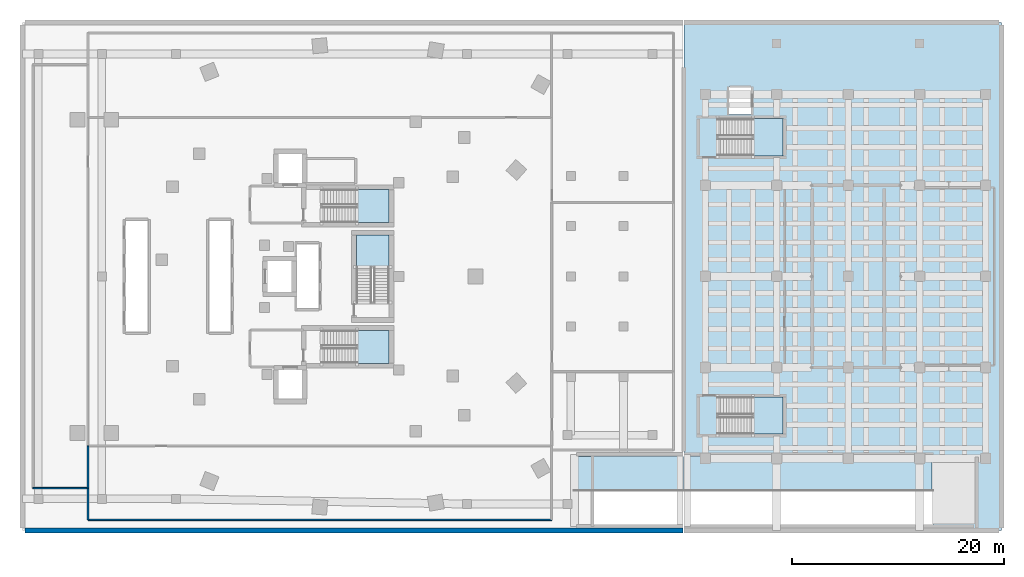
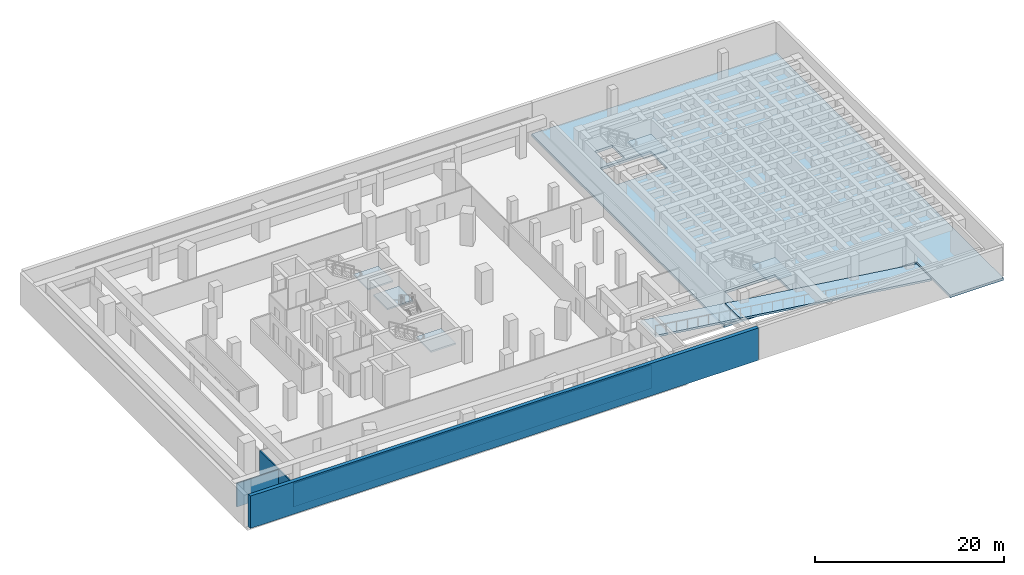
# One storey, part 6 of 13: 8 slabs, 5 walls, 5 elements without a shape of their own.
"""IFC4 building model written with IfcOpenShell, lengths in metres."""

from ifc_helpers import new_model, si_unit, direction, frame, frame_2d, origin, place, context, subcontext, project, spatial, polyline, rectangle, outline, extrude, material, layer, layer_set, type_object, element, aggregate, save


model = new_model("IFC4")

# Units and contexts
model_context = context("Model", 3, precision=1e-05, world=origin(), true_north=direction((0.0, 1.0)))
body_context = subcontext(model_context, "Body", "Model", "MODEL_VIEW")
ifc_project = project(units=[si_unit("LENGTHUNIT", "METRE"), si_unit("AREAUNIT", "SQUARE_METRE"), si_unit("VOLUMEUNIT", "CUBIC_METRE"), si_unit("PLANEANGLEUNIT", "RADIAN"), si_unit("MASSUNIT", "GRAM", prefix="KILO")], contexts=[model_context])

# Site, building, storey
site_placement = place(None, origin())
site = spatial("IfcSite", under=ifc_project, at=site_placement, CompositionType="ELEMENT")
building_placement = place(site_placement, origin())
building = spatial("IfcBuilding", under=site, at=building_placement, Name="Korentha Bioscience Tower", CompositionType="ELEMENT")
storey_placement = place(building_placement, frame((0.0, 0.0, -4.5)))
storey = spatial("IfcBuildingStorey", under=building, at=storey_placement, Name="B1", CompositionType="ELEMENT", Elevation=-4.5)

# Slab
ifc_material_1 = material(Name="Concrete C50", Category="concrete")
ifc_layer_1 = layer(ifc_material_1, 0.320068359375, Name="Concrete C50")
ifc_layer_set_1 = layer_set([ifc_layer_1], Name="Concrete C50 (SL-B1)")
slab_type_1 = type_object("IfcSlabType", Name="Basement Car Park Slab 320", PredefinedType="FLOOR", material=ifc_layer_set_1)
slab_1_placement = place(storey_placement, frame((0.0, 0.0, -0.320068359375)))
element("IfcSlab", 1, at=slab_1_placement, inside=storey, type_object=slab_type_1, Name="B1 Civic Theatre Basement Structural Slab", PredefinedType="FLOOR", context=body_context, shape_type="SweptSolid", body=[
    extrude(outline(polyline([(64.5, 10.199951171875), (88.0, 10.199951171875), (88.0, 3.0), (94.5, 3.0), (94.5, 51.0), (64.5, 51.0), (64.5, 10.199951171875)]), holes=[polyline([(67.64990234375, 12.10009765625), (73.85009765625, 12.10009765625), (73.85009765625, 15.60009765625), (67.64990234375, 15.60009765625), (67.64990234375, 12.10009765625)]), polyline([(67.64990234375, 38.39990234375), (73.85009765625, 38.39990234375), (73.85009765625, 41.89990234375), (67.64990234375, 41.89990234375), (67.64990234375, 38.39990234375)]), polyline([(68.7099609375, 42.31005859375), (70.889892578125, 42.31005859375), (70.889892578125, 44.889892578125), (68.7099609375, 44.889892578125), (68.7099609375, 42.31005859375)])]), origin(), (0.0, 0.0, 1.0), 0.320068359375),
])

# Stair, slab
ifc_material_2 = material(Name="Precast Concrete C50", Category="concrete")
stair_type_1 = type_object("IfcStairType", Name="Core Exit Dog-Leg Stair 1450", PredefinedType="HALF_TURN_STAIR", material=ifc_material_2)
stair_1_placement = place(storey_placement, origin())
stair_1 = element("IfcStair", 2, at=stair_1_placement, inside=storey, type_object=stair_type_1, Name="B1 Tower North Pressurized Exit Stair ST-1", PredefinedType="HALF_TURN_STAIR")
ifc_layer_2 = layer(ifc_material_1, 0.199951171875, Name="Concrete C50")
ifc_layer_set_2 = layer_set([ifc_layer_2], Name="Concrete C50 (SL-LND)")
slab_type_2 = type_object("IfcSlabType", Name="Landing Slab 200", PredefinedType="LANDING", material=ifc_layer_set_2)
slab_2_placement = place(storey_placement, frame((0.0, 0.0, 2.050048828125)))
slab_2 = element("IfcSlab", 3, at=slab_2_placement, type_object=slab_type_2, Name="ST-1 landing 1", PredefinedType="LANDING", context=body_context, shape_type="SweptSolid", body=[
    extrude(outline(polyline([(33.610107421875, 32.10009765625), (36.64990234375, 32.10009765625), (36.64990234375, 35.199951171875), (33.610107421875, 35.199951171875), (33.610107421875, 32.10009765625)])), origin(), (0.0, 0.0, 1.0), 0.199951171875),
])
aggregate(stair_1, [slab_2])

stair_2_placement = place(storey_placement, origin())
stair_2 = element("IfcStair", 4, at=stair_2_placement, inside=storey, type_object=stair_type_1, Name="B1 Tower South Pressurized Exit Stair ST-2", PredefinedType="HALF_TURN_STAIR")
slab_3_placement = place(storey_placement, frame((0.0, 0.0, 2.050048828125)))
slab_3 = element("IfcSlab", 5, at=slab_3_placement, type_object=slab_type_2, Name="ST-2 landing 1", PredefinedType="LANDING", context=body_context, shape_type="SweptSolid", body=[
    extrude(outline(polyline([(33.610107421875, 18.800048828125), (36.64990234375, 18.800048828125), (36.64990234375, 21.89990234375), (33.610107421875, 21.89990234375), (33.610107421875, 18.800048828125)])), origin(), (0.0, 0.0, 1.0), 0.199951171875),
])
aggregate(stair_2, [slab_3])

stair_3_placement = place(storey_placement, origin())
stair_3 = element("IfcStair", 6, at=stair_3_placement, inside=storey, type_object=stair_type_1, Name="B1 Tower Central Pressurized Exit Stair ST-3", PredefinedType="HALF_TURN_STAIR")
slab_4_placement = place(storey_placement, frame((0.0, 0.0, 2.050048828125)))
slab_4 = element("IfcSlab", 7, at=slab_4_placement, type_object=slab_type_2, Name="ST-3 landing 1", PredefinedType="LANDING", context=body_context, shape_type="SweptSolid", body=[
    extrude(outline(polyline([(36.64990234375, 27.909912109375), (36.64990234375, 30.89990234375), (33.550048828125, 30.89990234375), (33.550048828125, 27.909912109375), (36.64990234375, 27.909912109375)])), origin(), (0.0, 0.0, 1.0), 0.199951171875),
])
aggregate(stair_3, [slab_4])

stair_type_2 = type_object("IfcStairType", Name="Theatre Public Dog-Leg Stair 1650", PredefinedType="HALF_TURN_STAIR", material=ifc_material_2)
stair_4_placement = place(storey_placement, origin())
stair_4 = element("IfcStair", 8, at=stair_4_placement, inside=storey, type_object=stair_type_2, Name="B1 Civic Theatre South Exit Stair ST-T1", PredefinedType="HALF_TURN_STAIR")
slab_5_placement = place(storey_placement, frame((0.0, 0.0, 2.050048828125)))
slab_5 = element("IfcSlab", 9, at=slab_5_placement, type_object=slab_type_2, Name="ST-T1 landing 1", PredefinedType="LANDING", context=body_context, shape_type="SweptSolid", body=[
    extrude(outline(polyline([(71.010009765625, 12.10009765625), (73.85009765625, 12.10009765625), (73.85009765625, 15.60009765625), (71.010009765625, 15.60009765625), (71.010009765625, 12.10009765625)])), origin(), (0.0, 0.0, 1.0), 0.199951171875),
])
aggregate(stair_4, [slab_5])

stair_5_placement = place(storey_placement, origin())
stair_5 = element("IfcStair", 10, at=stair_5_placement, inside=storey, type_object=stair_type_2, Name="B1 Civic Theatre North Exit Stair ST-T2", PredefinedType="HALF_TURN_STAIR")
slab_6_placement = place(storey_placement, frame((0.0, 0.0, 2.050048828125)))
slab_6 = element("IfcSlab", 11, at=slab_6_placement, type_object=slab_type_2, Name="ST-T2 landing 1", PredefinedType="LANDING", context=body_context, shape_type="SweptSolid", body=[
    extrude(outline(polyline([(71.010009765625, 38.39990234375), (73.85009765625, 38.39990234375), (73.85009765625, 41.89990234375), (71.010009765625, 41.89990234375), (71.010009765625, 38.39990234375)])), origin(), (0.0, 0.0, 1.0), 0.199951171875),
])
aggregate(stair_5, [slab_6])

# Slabs
ifc_material_3 = material(Name="Concrete C40", Category="concrete")
ifc_layer_3 = layer(ifc_material_3, 0.260009765625, Name="Concrete C40")
ifc_layer_set_3 = layer_set([ifc_layer_3], Name="Concrete C40 (SL-RMP)")
slab_type_3 = type_object("IfcSlabType", Name="Vehicle Ramp Structural Slab 260", PredefinedType="FLOOR", material=ifc_layer_set_3)
slab_7_placement = place(storey_placement, frame((87.919921875, 6.800048828125, -0.139892578125), z_axis=(0.131844909511, 0.0, 0.991270356581), x_axis=(-0.991270356581, 0.0, 0.131844909511)))
element("IfcSlab", 12, at=slab_7_placement, inside=storey, type_object=slab_type_3, Name="B1-L00 East Vehicle Ramp Structural Slab", PredefinedType="FLOOR", context=body_context, shape_type="SweptSolid", body=[
    extrude(outline(polyline([(0.0, 0.0), (23.626220703125, 0.0), (23.626220703125, -3.199951171875), (0.0, -3.199951171875), (0.0, 0.0)])), origin(), (0.0, 0.0, -1.0), 0.260009765625),
])
slab_8_placement = place(storey_placement, frame((64.419921875, 6.800048828125, 2.9951171875), z_axis=(0.131751579477, 0.0, 0.991282765565), x_axis=(-0.991282765565, 0.0, 0.131751579477)))
element("IfcSlab", 13, at=slab_8_placement, inside=storey, type_object=slab_type_3, Name="B1-L00 West Vehicle Ramp Structural Slab", PredefinedType="FLOOR", context=body_context, shape_type="SweptSolid", body=[
    extrude(outline(polyline([(0.0, 0.0), (10.3603515625, 0.0), (10.3603515625, -3.199951171875), (0.0, -3.199951171875), (0.0, 0.0)])), origin(), (0.0, 0.0, -1.0), 0.260009765625),
])

# Walls
ifc_material_4 = material(Name="Double-Stud Acoustic Gypsum", Category="gypsum")
ifc_layer_4 = layer(ifc_material_4, 0.14990234375, Name="Double-Stud Acoustic Gypsum")
ifc_layer_set_4 = layer_set([ifc_layer_4], Name="Double-Stud Acoustic Gypsum (IW-L150)")
wall_type_1 = type_object("IfcWallType", Name="Acoustic Laboratory Partition Wall 150", PredefinedType="PARTITIONING", material=ifc_layer_set_4)
wall_1_placement = place(storey_placement, frame((8.199951171875, 10.989990234375, 0.0), z_axis=(0.0, 0.0, 1.0), x_axis=(0.0, -1.0, 0.0)))
element("IfcWall", 14, at=wall_1_placement, inside=storey, type_object=wall_type_1, Name="B1 Interior Partition 009", PredefinedType="PARTITIONING", context=body_context, shape_type="SweptSolid", body=[
    extrude(rectangle(XDim=3.989990234375, YDim=0.14990234375, at=frame_2d((1.9951171875, 0.0))), origin(), (0.0, 0.0, 1.0), 3.0400390625),
])
wall_2_placement = place(storey_placement, frame((8.199951171875, 7.0, 0.0), z_axis=(0.0, 0.0, 1.0), x_axis=(-1.0, 0.0, 0.0)))
element("IfcWall", 15, at=wall_2_placement, inside=storey, type_object=wall_type_1, Name="B1 Interior Partition 010", PredefinedType="PARTITIONING", context=body_context, shape_type="SweptSolid", body=[
    extrude(rectangle(XDim=5.199951171875, YDim=0.14990234375, at=frame_2d((2.60009765625, 0.0))), origin(), (0.0, 0.0, 1.0), 3.0400390625),
])
wall_3_placement = place(storey_placement, frame((52.0, 4.0, 0.0), z_axis=(0.0, 0.0, 1.0), x_axis=(-1.0, 0.0, 0.0)))
element("IfcWall", 16, at=wall_3_placement, inside=storey, type_object=wall_type_1, Name="B1 Interior Partition 016", PredefinedType="PARTITIONING", context=body_context, shape_type="SweptSolid", body=[
    extrude(rectangle(XDim=43.800048828125, YDim=0.14990234375, at=frame_2d((21.89990234375, 0.0))), origin(), (0.0, 0.0, 1.0), 3.0400390625),
])
wall_4_placement = place(storey_placement, frame((8.199951171875, 4.0, 0.0), z_axis=(0.0, 0.0, 1.0), x_axis=(0.0, 1.0, 0.0)))
element("IfcWall", 17, at=wall_4_placement, inside=storey, type_object=wall_type_1, Name="B1 Interior Partition 017", PredefinedType="PARTITIONING", context=body_context, shape_type="SweptSolid", body=[
    extrude(rectangle(XDim=2.989990234375, YDim=0.14990234375, at=frame_2d((1.4951171875, 0.0))), origin(), (0.0, 0.0, 1.0), 3.0400390625),
])
ifc_layer_5 = layer(ifc_material_1, 0.449951171875, Name="Concrete C50")
ifc_layer_set_5 = layer_set([ifc_layer_5], Name="Concrete C50 (RW-01)")
wall_type_2 = type_object("IfcWallType", Name="Basement Perimeter Retaining Wall 450", PredefinedType="USERDEFINED", material=ifc_layer_set_5)
wall_5_placement = place(storey_placement, frame((64.419921875, 3.0, 0.0), z_axis=(0.0, 0.0, 1.0), x_axis=(-1.0, 0.0, 0.0)))
element("IfcWall", 18, at=wall_5_placement, inside=storey, type_object=wall_type_2, Name="B1 Retaining Liner Wall SW", ObjectType="RETAININGWALL", PredefinedType="USERDEFINED", context=body_context, shape_type="SweptSolid", body=[
    extrude(rectangle(XDim=62.169921875, YDim=0.449951171875, at=frame_2d((31.0849609375, 0.0))), origin(), (0.0, 0.0, 1.0), 4.181884765625),
])

save(model, "model.ifc")
